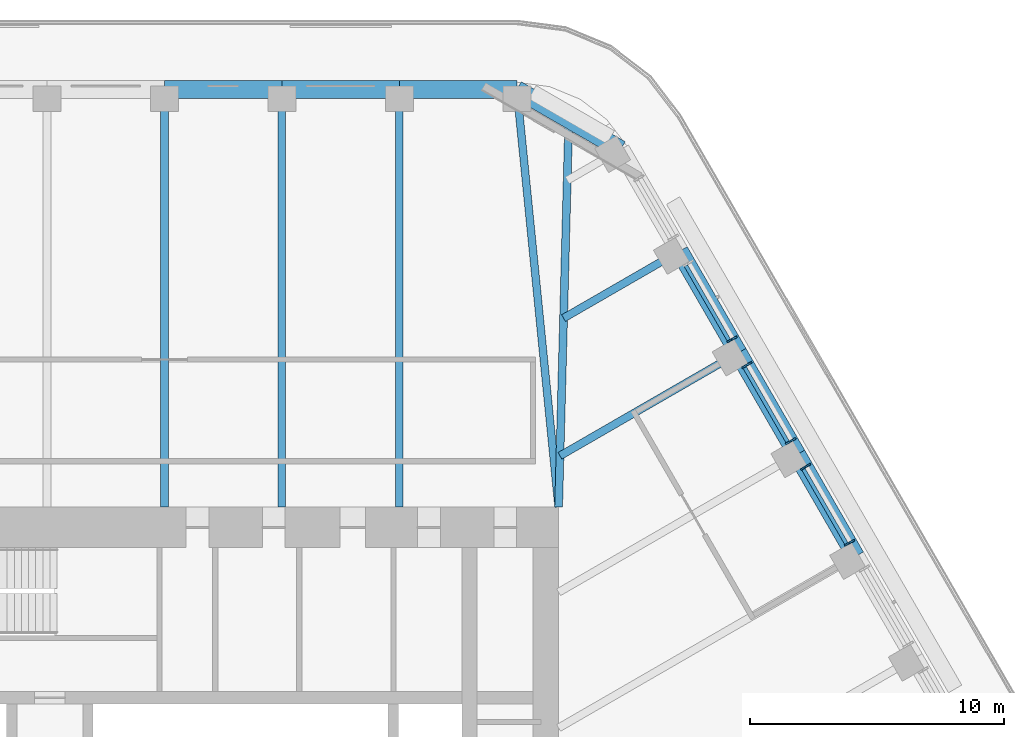
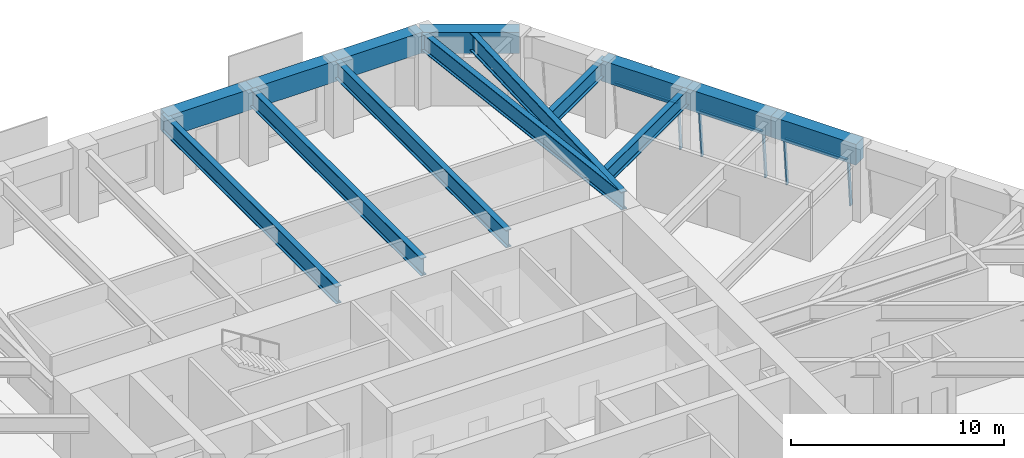
# One storey, part 11 of 20: 14 beams, 8 members, 3 elements without a shape of their own.
"""IFC4 building model written with IfcOpenShell, lengths in metres."""

from ifc_helpers import new_model, si_unit, direction, frame, origin, origin_2d, place, context, subcontext, project, spatial, rectangle, i_section, extrude, material, material_profile, profile_set, type_object, element, aggregate, save


model = new_model("IFC4")

# Units and contexts
model_context = context("Model", 3, precision=1e-05, world=origin(), true_north=direction((0.0, 1.0)))
body_context = subcontext(model_context, "Body", "Model", "MODEL_VIEW")
ifc_project = project(units=[si_unit("LENGTHUNIT", "METRE"), si_unit("AREAUNIT", "SQUARE_METRE"), si_unit("VOLUMEUNIT", "CUBIC_METRE"), si_unit("PLANEANGLEUNIT", "RADIAN"), si_unit("MASSUNIT", "GRAM", prefix="KILO")], contexts=[model_context])

# Site, building, storey
site_placement = place(None, origin())
site = spatial("IfcSite", under=ifc_project, at=site_placement, CompositionType="ELEMENT")
building_placement = place(site_placement, origin())
building = spatial("IfcBuilding", under=site, at=building_placement, Name="Tarfa Lantern Tower", CompositionType="ELEMENT")
storey_placement = place(building_placement, frame((0.0, 0.0, 282.699951171875)))
storey = spatial("IfcBuildingStorey", under=building, at=storey_placement, Name="L64", CompositionType="ELEMENT", Elevation=282.699951171875)

# Curtain wall, members
ifc_material_1 = material(Name="Aluminium framed curtain wall", Category="aluminium")
curtain_wall_type = type_object("IfcCurtainWallType", Name="CW3 CANTED GLAZING HIGH ZONE 2800", PredefinedType="USERDEFINED", material=ifc_material_1)
curtain_wall_1_placement = place(storey_placement, origin())
curtain_wall_1 = element("IfcCurtainWall", 1, at=curtain_wall_1_placement, inside=storey, type_object=curtain_wall_type, Name="CW3 NE L64", ObjectType="CURTAIN WALL", PredefinedType="USERDEFINED")
ifc_material_2 = material(Name="Aluminium mullion", Category="aluminium")
ifc_material_profile_1 = material_profile(ifc_material_2, rectangle(XDim=0.06494140625, YDim=0.199951171875, at=origin_2d()), Name="AL MULLION 65x200")
ifc_profile_set_1 = profile_set([ifc_material_profile_1], Name="Aluminium mullion")
member_type_1 = type_object("IfcMemberType", Name="CWM1 MULLION 65x200", PredefinedType="MULLION", material=ifc_profile_set_1)
member_1_placement = place(storey_placement, frame((27.04638671875, 10.954345703125, 0.0), z_axis=(-0.077032386753, -0.044465143199, 0.996036576854), x_axis=(0.499919672301, -0.866071776036, 0.0)))
member_1 = element("IfcMember", 2, at=member_1_placement, type_object=member_type_1, Name="CW3 mullion 1", PredefinedType="MULLION", context=body_context, shape_type="SweptSolid", body=[
    extrude(rectangle(XDim=0.06494140625, YDim=0.199951171875, at=origin_2d()), origin(), (0.0, 0.0, 1.0), 2.811279296875),
])
member_2_placement = place(storey_placement, frame((25.3193359375, 13.945556640625, 0.0), z_axis=(-0.077032386753, -0.044465143199, 0.996036576854), x_axis=(0.499919672301, -0.866071776036, 0.0)))
member_2 = element("IfcMember", 3, at=member_2_placement, type_object=member_type_1, Name="CW3 mullion 2", PredefinedType="MULLION", context=body_context, shape_type="SweptSolid", body=[
    extrude(rectangle(XDim=0.06494140625, YDim=0.199951171875, at=origin_2d()), origin(), (0.0, 0.0, 1.0), 2.811279296875),
])

curtain_wall_2_placement = place(storey_placement, origin())
curtain_wall_2 = element("IfcCurtainWall", 4, at=curtain_wall_2_placement, inside=storey, type_object=curtain_wall_type, Name="CW3 NE L64", ObjectType="CURTAIN WALL", PredefinedType="USERDEFINED")
member_3_placement = place(storey_placement, frame((24.73681640625, 14.954345703125, 0.0), z_axis=(-0.077032386753, -0.044465143199, 0.996036576854), x_axis=(0.499919672301, -0.866071776036, 0.0)))
member_3 = element("IfcMember", 5, at=member_3_placement, type_object=member_type_1, Name="CW3 mullion 1", PredefinedType="MULLION", context=body_context, shape_type="SweptSolid", body=[
    extrude(rectangle(XDim=0.06494140625, YDim=0.199951171875, at=origin_2d()), origin(), (0.0, 0.0, 1.0), 2.811279296875),
])
member_4_placement = place(storey_placement, frame((23.010009765625, 17.945556640625, 0.0), z_axis=(-0.077032386753, -0.044465143199, 0.996036576854), x_axis=(0.499919672301, -0.866071776036, 0.0)))
member_4 = element("IfcMember", 6, at=member_4_placement, type_object=member_type_1, Name="CW3 mullion 2", PredefinedType="MULLION", context=body_context, shape_type="SweptSolid", body=[
    extrude(rectangle(XDim=0.06494140625, YDim=0.199951171875, at=origin_2d()), origin(), (0.0, 0.0, 1.0), 2.811279296875),
])

# Curtain wall, member
curtain_wall_3_placement = place(storey_placement, origin())
curtain_wall_3 = element("IfcCurtainWall", 7, at=curtain_wall_3_placement, inside=storey, type_object=curtain_wall_type, Name="CW3 NE L64", ObjectType="CURTAIN WALL", PredefinedType="USERDEFINED")
member_5_placement = place(storey_placement, frame((22.427490234375, 18.954345703125, 0.0), z_axis=(-0.077032386753, -0.044465143199, 0.996036576854), x_axis=(0.499919672301, -0.866071776036, 0.0)))
member_5 = element("IfcMember", 8, at=member_5_placement, type_object=member_type_1, Name="CW3 mullion 1", PredefinedType="MULLION", context=body_context, shape_type="SweptSolid", body=[
    extrude(rectangle(XDim=0.06494140625, YDim=0.199951171875, at=origin_2d()), origin(), (0.0, 0.0, 1.0), 2.811279296875),
])

# Member
ifc_material_3 = material(Name="Aluminium transom", Category="aluminium")
ifc_material_profile_2 = material_profile(ifc_material_3, rectangle(XDim=0.14990234375, YDim=0.06494140625, at=origin_2d()), Name="AL TRANSOM 150x65")
ifc_profile_set_2 = profile_set([ifc_material_profile_2], Name="Aluminium transom")
member_type_2 = type_object("IfcMemberType", Name="CWT1 TRANSOM 150x65", PredefinedType="USERDEFINED", material=ifc_profile_set_2)
member_6_placement = place(storey_placement, frame((26.816162109375, 10.859130859375, 2.767578125), z_axis=(-0.500036330578, 0.866004427299, 0.0), x_axis=(-0.866004427299, -0.500036330578, 0.0)))
member_6 = element("IfcMember", 9, at=member_6_placement, type_object=member_type_2, Name="CW3 transom 1.2", ObjectType="TRANSOM", PredefinedType="USERDEFINED", context=body_context, shape_type="SweptSolid", body=[
    extrude(rectangle(XDim=0.14990234375, YDim=0.06494140625, at=origin_2d()), origin(), (0.0, 0.0, 1.0), 3.388916015625),
])

aggregate(curtain_wall_1, [member_1, member_2, member_6])

member_7_placement = place(storey_placement, frame((24.506591796875, 14.859130859375, 2.767578125), z_axis=(-0.499982299553, 0.866035622901, 0.0), x_axis=(-0.866035622901, -0.499982299553, 0.0)))
member_7 = element("IfcMember", 10, at=member_7_placement, type_object=member_type_2, Name="CW3 transom 1.2", ObjectType="TRANSOM", PredefinedType="USERDEFINED", context=body_context, shape_type="SweptSolid", body=[
    extrude(rectangle(XDim=0.14990234375, YDim=0.06494140625, at=origin_2d()), origin(), (0.0, 0.0, 1.0), 3.388671875),
])

aggregate(curtain_wall_2, [member_3, member_4, member_7])

member_8_placement = place(storey_placement, frame((22.197265625, 18.859130859375, 2.767578125), z_axis=(-0.499982299553, 0.866035622901, 0.0), x_axis=(-0.866035622901, -0.499982299553, 0.0)))
member_8 = element("IfcMember", 11, at=member_8_placement, type_object=member_type_2, Name="CW3 transom 1.2", ObjectType="TRANSOM", PredefinedType="USERDEFINED", context=body_context, shape_type="SweptSolid", body=[
    extrude(rectangle(XDim=0.14990234375, YDim=0.06494140625, at=origin_2d()), origin(), (0.0, 0.0, 1.0), 3.388671875),
])

aggregate(curtain_wall_3, [member_5, member_8])

# Beams
ifc_material_4 = material(Name="Concrete C80/95", Category="concrete")
ifc_material_profile_3 = material_profile(ifc_material_4, rectangle(XDim=0.699951171875, YDim=1.199951171875, at=origin_2d()), Name="RC 700x1200")
ifc_profile_set_3 = profile_set([ifc_material_profile_3], Name="Concrete C80/95")
beam_type_1 = type_object("IfcBeamType", Name="EB3 RC 700x1200", PredefinedType="SPANDREL", material=ifc_profile_set_3)
beam_1_placement = place(storey_placement, frame((27.181640625, 10.360107421875, 3.400146484375), z_axis=(-0.499987836815, 0.866032426089, 0.0), x_axis=(-0.866032426089, -0.499987836815, 0.0)))
element("IfcBeam", 12, at=beam_1_placement, inside=storey, type_object=beam_type_1, Name="Edge beam NE2", PredefinedType="SPANDREL", context=body_context, shape_type="SweptSolid", body=[
    extrude(rectangle(XDim=0.699951171875, YDim=1.199951171875, at=origin_2d()), origin(), (0.0, 0.0, 1.0), 4.61865234375),
])
beam_2_placement = place(storey_placement, frame((24.872314453125, 14.360107421875, 3.400146484375), z_axis=(-0.500027479704, 0.866009537788, 0.0), x_axis=(-0.866009537788, -0.500027479704, 0.0)))
element("IfcBeam", 13, at=beam_2_placement, inside=storey, type_object=beam_type_1, Name="Edge beam NE3", PredefinedType="SPANDREL", context=body_context, shape_type="SweptSolid", body=[
    extrude(rectangle(XDim=0.699951171875, YDim=1.199951171875, at=origin_2d()), origin(), (0.0, 0.0, 1.0), 4.618896484375),
])
beam_3_placement = place(storey_placement, frame((22.562744140625, 18.360107421875, 3.400146484375), z_axis=(-0.499987836815, 0.866032426089, 0.0), x_axis=(-0.866032426089, -0.499987836815, 0.0)))
element("IfcBeam", 14, at=beam_3_placement, inside=storey, type_object=beam_type_1, Name="Edge beam NE4", PredefinedType="SPANDREL", context=body_context, shape_type="SweptSolid", body=[
    extrude(rectangle(XDim=0.699951171875, YDim=1.199951171875, at=origin_2d()), origin(), (0.0, 0.0, 1.0), 4.61865234375),
])
beam_4_placement = place(storey_placement, frame((17.944091796875, 26.360107421875, 3.400146484375), z_axis=(-0.866038294681, 0.499977671647, 0.0), x_axis=(-0.499977671647, -0.866038294681, 0.0)))
element("IfcBeam", 15, at=beam_4_placement, inside=storey, type_object=beam_type_1, Name="Edge beam NE6", PredefinedType="SPANDREL", context=body_context, shape_type="SweptSolid", body=[
    extrude(rectangle(XDim=0.699951171875, YDim=1.199951171875, at=origin_2d()), origin(), (0.0, 0.0, 1.0), 4.719970703125),
])
beam_5_placement = place(storey_placement, frame((13.8564453125, 28.719970703125, 3.400146484375), z_axis=(-1.0, 0.0, 0.0), x_axis=(0.0, -1.0, 0.0)))
element("IfcBeam", 16, at=beam_5_placement, inside=storey, type_object=beam_type_1, Name="Edge beam N0", PredefinedType="SPANDREL", context=body_context, shape_type="SweptSolid", body=[
    extrude(rectangle(XDim=0.699951171875, YDim=1.199951171875, at=origin_2d()), origin(), (0.0, 0.0, 1.0), 4.618896484375),
])
beam_6_placement = place(storey_placement, frame((9.237548828125, 28.719970703125, 3.400146484375), z_axis=(-1.0, 0.0, 0.0), x_axis=(0.0, -1.0, 0.0)))
element("IfcBeam", 17, at=beam_6_placement, inside=storey, type_object=beam_type_1, Name="Edge beam N1", PredefinedType="SPANDREL", context=body_context, shape_type="SweptSolid", body=[
    extrude(rectangle(XDim=0.699951171875, YDim=1.199951171875, at=origin_2d()), origin(), (0.0, 0.0, 1.0), 4.61865234375),
])
beam_7_placement = place(storey_placement, frame((4.618896484375, 28.719970703125, 3.400146484375), z_axis=(-1.0, 0.0, 0.0), x_axis=(0.0, -1.0, 0.0)))
element("IfcBeam", 18, at=beam_7_placement, inside=storey, type_object=beam_type_1, Name="Edge beam N2", PredefinedType="SPANDREL", context=body_context, shape_type="SweptSolid", body=[
    extrude(rectangle(XDim=0.699951171875, YDim=1.199951171875, at=origin_2d()), origin(), (0.0, 0.0, 1.0), 4.618896484375),
])
ifc_material_5 = material(Name="Steel S460M", Category="steel")
ifc_material_profile_4 = material_profile(ifc_material_5, i_section(OverallWidth=0.302001953125, OverallDepth=1.008056640625, WebThickness=0.02099609375, FlangeThickness=0.0400390625, FilletRadius=0.030029296875, at=origin_2d()), Name="UB1016x305x349")
ifc_profile_set_4 = profile_set([ifc_material_profile_4], Name="Steel S460M")
beam_type_2 = type_object("IfcBeamType", Name="UB1016x305x349", PredefinedType="BEAM", material=ifc_profile_set_4)
beam_8_placement = place(storey_placement, frame((13.8564453125, 28.719970703125, 3.49609375), z_axis=(0.099597466746, -0.995027810977, 0.0), x_axis=(0.995027810977, 0.099597466746, 0.0)))
element("IfcBeam", 19, at=beam_8_placement, inside=storey, type_object=beam_type_2, Name="Floor beam N0", PredefinedType="BEAM", context=body_context, shape_type="SweptSolid", body=[
    extrude(i_section(OverallWidth=0.302001953125, OverallDepth=1.008056640625, WebThickness=0.02099609375, FlangeThickness=0.0400390625, FilletRadius=0.030029296875, at=origin_2d()), origin(), (0.0, 0.0, 1.0), 16.501953125),
])
for number, where, z_axis, x_axis, name in (
    (20, (9.237548828125, 28.719970703125, 3.49609375), (0.0, -1.0, 0.0), (1.0, 0.0, 0.0), "Floor beam N1"),
    (21, (4.618896484375, 28.719970703125, 3.49609375), (0.0, -1.0, 0.0), (1.0, 0.0, 0.0), "Floor beam N2"),
    (22, (0.0, 28.719970703125, 3.49609375), (0.0, -1.0, 0.0), (1.0, 0.0, 0.0), "Floor beam N3"),
):
    element("IfcBeam", number, at=place(storey_placement, frame(where, z_axis=z_axis, x_axis=x_axis)), inside=storey, type_object=beam_type_2, Name=name, PredefinedType="BEAM", context=body_context, shape_type="SweptSolid", body=[
        extrude(i_section(OverallWidth=0.302001953125, OverallDepth=1.008056640625, WebThickness=0.02099609375, FlangeThickness=0.0400390625, FilletRadius=0.030029296875, at=origin_2d()), origin(), (0.0, 0.0, 1.0), 16.419921875),
    ])
ifc_material_profile_5 = material_profile(ifc_material_5, i_section(OverallWidth=0.30859375, OverallDepth=1.036376953125, WebThickness=0.030029296875, FlangeThickness=0.05419921875, FilletRadius=0.030029296875, at=origin_2d()), Name="UB1016x305x487")
ifc_profile_set_5 = profile_set([ifc_material_profile_5], Name="Steel S460M")
beam_type_3 = type_object("IfcBeamType", Name="UB1016x305x487", PredefinedType="BEAM", material=ifc_profile_set_5)
beam_9_placement = place(storey_placement, frame((15.5, 12.300048828125, 3.48193359375), z_axis=(0.026247301989, 0.999655480222, 0.0), x_axis=(-0.999655480222, 0.026247301989, 0.0)))
element("IfcBeam", 23, at=beam_9_placement, inside=storey, type_object=beam_type_3, Name="Hip girder NE", PredefinedType="BEAM", context=body_context, shape_type="SweptSolid", body=[
    extrude(i_section(OverallWidth=0.30859375, OverallDepth=1.036376953125, WebThickness=0.030029296875, FlangeThickness=0.05419921875, FilletRadius=0.030029296875, at=origin_2d()), origin(), (0.0, 0.0, 1.0), 15.245361328125),
])
ifc_material_profile_6 = material_profile(ifc_material_5, i_section(OverallWidth=0.305419921875, OverallDepth=0.91845703125, WebThickness=0.017333984375, FlangeThickness=0.02783203125, FilletRadius=0.01904296875, at=origin_2d()), Name="UB914x305x253")
ifc_profile_set_6 = profile_set([ifc_material_profile_6], Name="Steel S460M")
beam_type_4 = type_object("IfcBeamType", Name="UB914x305x253", PredefinedType="BEAM", material=ifc_profile_set_6)
beam_10_placement = place(storey_placement, frame((22.562744140625, 18.360107421875, 3.540771484375), z_axis=(-0.866010787764, -0.500025314835, 0.0), x_axis=(0.500025314835, -0.866010787764, 0.0)))
element("IfcBeam", 24, at=beam_10_placement, inside=storey, type_object=beam_type_4, Name="Floor beam NE4", PredefinedType="BEAM", context=body_context, shape_type="SweptSolid", body=[
    extrude(i_section(OverallWidth=0.305419921875, OverallDepth=0.91845703125, WebThickness=0.017333984375, FlangeThickness=0.02783203125, FilletRadius=0.01904296875, at=origin_2d()), origin(), (0.0, 0.0, 1.0), 8.09423828125),
])
beam_11_placement = place(storey_placement, frame((20.25341796875, 22.360107421875, 3.540771484375), z_axis=(-0.86601951648, -0.500010196972, 0.0), x_axis=(0.500010196972, -0.86601951648, 0.0)))
element("IfcBeam", 25, at=beam_11_placement, inside=storey, type_object=beam_type_4, Name="Floor beam NE5", PredefinedType="BEAM", context=body_context, shape_type="SweptSolid", body=[
    extrude(i_section(OverallWidth=0.305419921875, OverallDepth=0.91845703125, WebThickness=0.017333984375, FlangeThickness=0.02783203125, FilletRadius=0.01904296875, at=origin_2d()), origin(), (0.0, 0.0, 1.0), 5.263671875),
])

save(model, "model.ifc")
